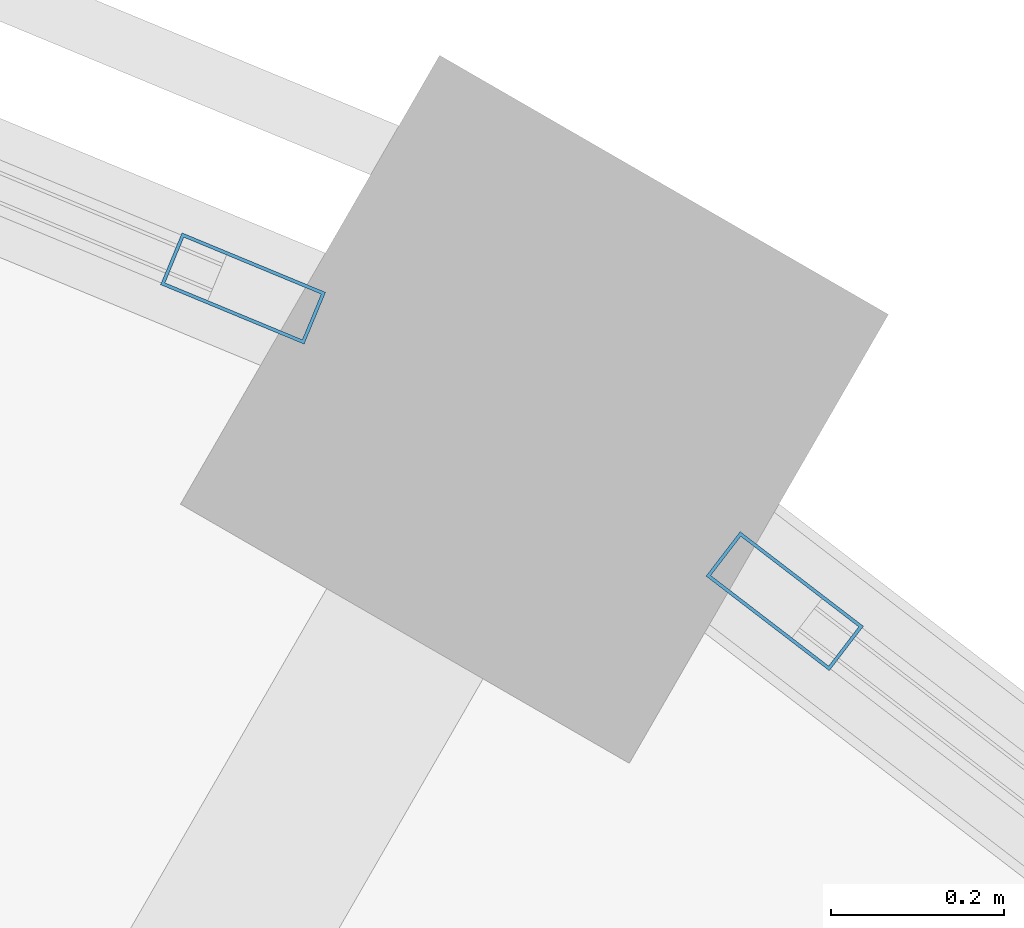
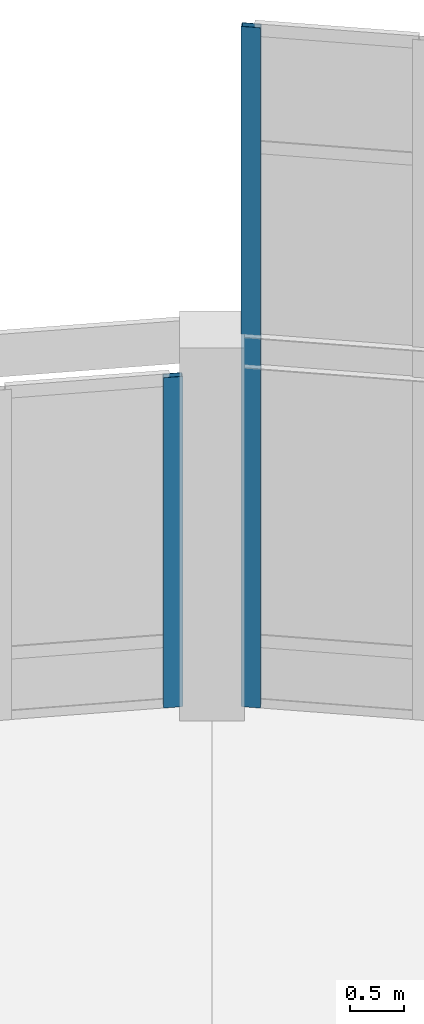
# One storey, part 104 of 200: 2 members, 2 elements without a shape of their own.
"""IFC4 building model written with IfcOpenShell, lengths in metres."""

from ifc_helpers import new_model, si_unit, direction, frame, origin, origin_2d, place, context, subcontext, project, spatial, hollow_rectangle, extrude, material, material_profile, profile_set, type_object, element, aggregate, save


model = new_model("IFC4")

# Units and contexts
model_context = context("Model", 3, precision=1e-05, world=origin(), true_north=direction((0.0, 1.0)))
body_context = subcontext(model_context, "Body", "Model", "MODEL_VIEW")
ifc_project = project(units=[si_unit("LENGTHUNIT", "METRE"), si_unit("AREAUNIT", "SQUARE_METRE"), si_unit("VOLUMEUNIT", "CUBIC_METRE"), si_unit("PLANEANGLEUNIT", "RADIAN"), si_unit("MASSUNIT", "GRAM", prefix="KILO")], contexts=[model_context])

# Site, building, storey
site_placement = place(None, origin())
site = spatial("IfcSite", under=ifc_project, at=site_placement, CompositionType="ELEMENT")
building_placement = place(site_placement, origin())
building = spatial("IfcBuilding", under=site, at=building_placement, Name="Vondelvale Polytechnic", CompositionType="ELEMENT")
storey_placement = place(building_placement, frame((0.0, 0.0, 13.800048828125)))
storey = spatial("IfcBuildingStorey", under=building, at=storey_placement, Name="L03", CompositionType="ELEMENT", Elevation=13.800048828125)

# Curtain wall, member
ifc_material_1 = material(Name="Glulam GL18 structural Tasmanian oak (fb = 42 MPa)", Category="wood")
curtain_wall_type = type_object("IfcCurtainWallType", Name="CW-RING-OUTER", PredefinedType="NOTDEFINED", material=ifc_material_1)
curtain_wall_1_placement = place(storey_placement, origin())
curtain_wall_1 = element("IfcCurtainWall", 1, at=curtain_wall_1_placement, inside=storey, type_object=curtain_wall_type, Name="L03 architectural curtain wall CW-04-111", PredefinedType="NOTDEFINED")
ifc_material_2 = material(Name="Anodised extruded aluminium 6063-T6", Category="aluminium")
ifc_material_profile = material_profile(ifc_material_2, hollow_rectangle(XDim=0.06494140625, YDim=0.179931640625, WallThickness=0.00390625, at=origin_2d()), Name="CW-MUL-180x65")
ifc_profile_set = profile_set([ifc_material_profile], Name="Anodised extruded aluminium 6063-T6")
member_type = type_object("IfcMemberType", Name="CW-MUL-65x180", PredefinedType="MULLION", material=ifc_profile_set)
member_1_placement = place(storey_placement, frame((125.289794921875, 111.614990234375, 0.0), z_axis=(0.0, 0.0, 1.0), x_axis=(-0.608786860133, -0.793333825656, 0.0)))
member_1 = element("IfcMember", 2, at=member_1_placement, type_object=member_type, Name="CW-04-111 mullion 3", PredefinedType="MULLION", context=body_context, shape_type="SweptSolid", body=[
    extrude(hollow_rectangle(XDim=0.06494140625, YDim=0.179931640625, WallThickness=0.00390625, at=origin_2d()), origin(), (0.0, 0.0, 1.0), 7.661376953125),
])
aggregate(curtain_wall_1, [member_1])

curtain_wall_2_placement = place(storey_placement, origin())
curtain_wall_2 = element("IfcCurtainWall", 3, at=curtain_wall_2_placement, inside=storey, type_object=curtain_wall_type, Name="L03 architectural curtain wall CW-04-124", PredefinedType="NOTDEFINED")
member_2_placement = place(storey_placement, frame((124.66259765625, 111.97705078125, 0.0), z_axis=(0.0, 0.0, 1.0), x_axis=(-0.382677394529, -0.923882033442, 0.0)))
member_2 = element("IfcMember", 4, at=member_2_placement, type_object=member_type, Name="CW-04-124 mullion 1", PredefinedType="MULLION", context=body_context, shape_type="SweptSolid", body=[
    extrude(hollow_rectangle(XDim=0.06494140625, YDim=0.179931640625, WallThickness=0.00390625, at=origin_2d()), origin(), (0.0, 0.0, 1.0), 3.719970703125),
])
aggregate(curtain_wall_2, [member_2])

save(model, "model.ifc")
